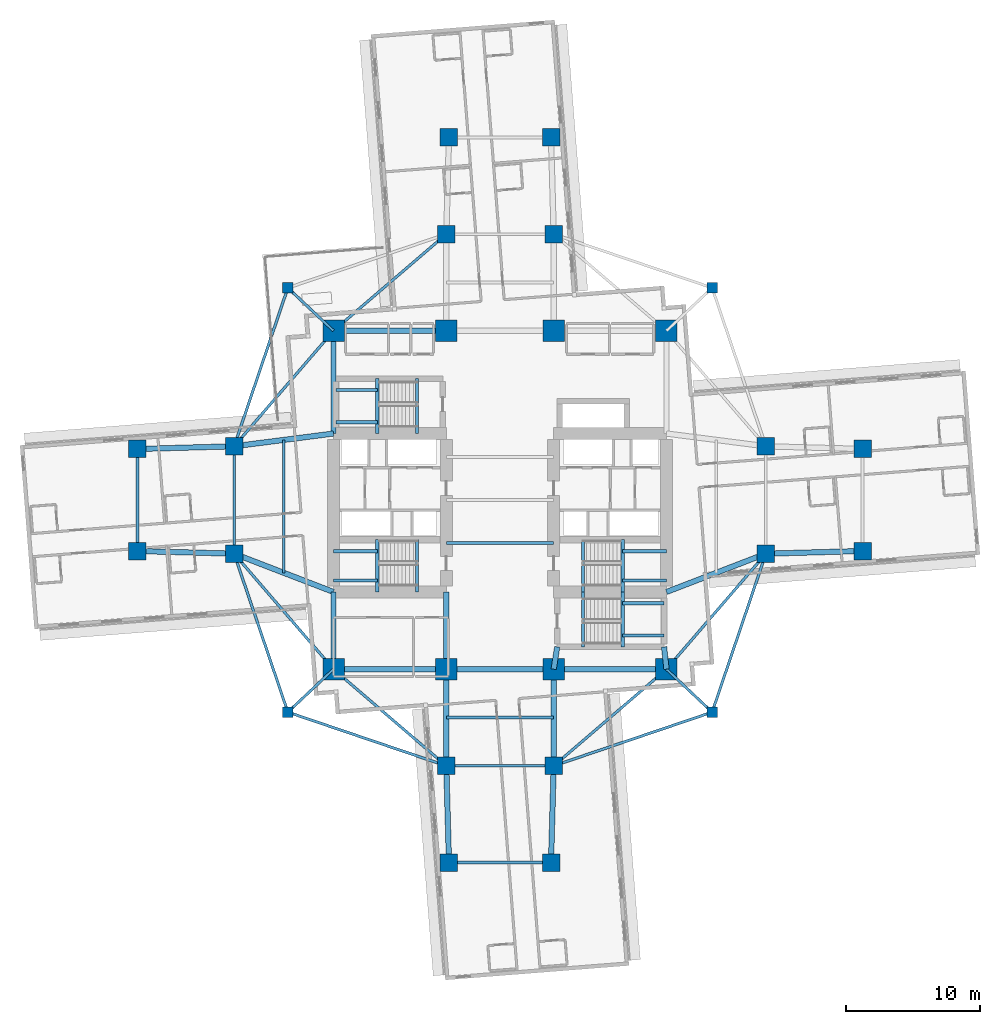
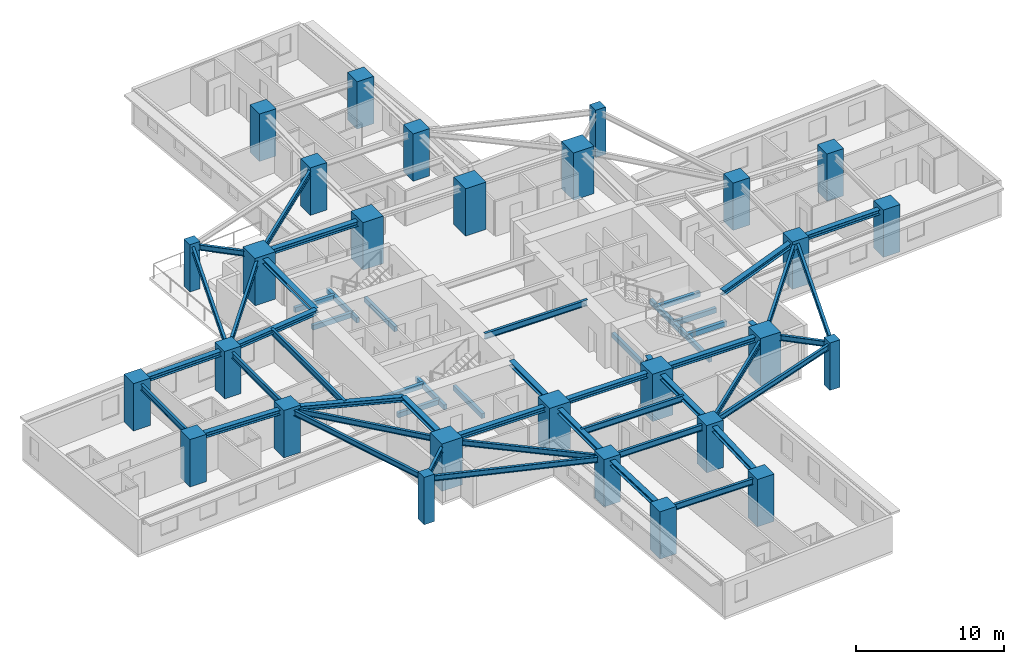
# One storey, part 1 of 13: 56 beams, 28 columns.
"""IFC4 building model written with IfcOpenShell, lengths in metres."""

import ifcopenshell
import ifcopenshell.guid

model = None  # the IFC model being written
_history = None  # IfcOwnerHistory: only IFC2X3 demands one
_inside = {}  # id of a spatial element -> (the spatial element, [elements in it])
_under = {}  # id of a project, library or spatial element -> (it, [spatial elements below it])
_declared = {}  # id of a project -> (the project, [libraries it declares])
_typed = {}  # id of a type object -> (the type object, [elements of that type])
_made_of = {}  # id of a material, layer set ... -> (it, [elements and type objects made of it])


def new_model(schema):
    """Start an empty IFC model of exactly this schema.

    Asked for "IFC4X3", IfcOpenShell would pick the latest addendum, in which some entities
    have other attributes; the version numbers below select the first issue.
    IFC2X3 requires an IfcOwnerHistory on every rooted entity: one is made here for all.
    """
    global model, _history
    if schema == "IFC4X3":
        model = ifcopenshell.file(schema_version=(4, 3, 0, 0))
    else:
        model = ifcopenshell.file(schema=schema)
    _inside.clear()
    _under.clear()
    _declared.clear()
    _typed.clear()
    _made_of.clear()
    _history = None
    if model.schema == "IFC2X3":
        org = make("IfcOrganization", Name="unknown")
        user = make(
            "IfcPersonAndOrganization",
            ThePerson=make("IfcPerson", FamilyName="unknown"),
            TheOrganization=org,
        )
        app = make(
            "IfcApplication",
            ApplicationDeveloper=org,
            Version="unknown",
            ApplicationFullName="unknown",
            ApplicationIdentifier="unknown",
        )
        _history = make(
            "IfcOwnerHistory",
            OwningUser=user,
            OwningApplication=app,
            ChangeAction="ADDED",
            CreationDate=0,
        )
    return model


def make(cls, **values):
    """One entity of the class cls with the attributes given. An attribute that is None is left unset."""
    return model.create_entity(
        cls, **{name: value for name, value in values.items() if value is not None}
    )


def rooted(cls, **values):
    """An entity with a GlobalId (a new one), such as an element, a storey or a relation."""
    return make(cls, GlobalId=ifcopenshell.guid.new(), OwnerHistory=_history, **values)


def si_unit(unit_type, name, prefix=None):
    """IfcSIUnit, for example si_unit("LENGTHUNIT", "METRE", prefix="MILLI")."""
    return make("IfcSIUnit", UnitType=unit_type, Prefix=prefix, Name=name)


def assignment(units):
    """IfcUnitAssignment: the units of a project."""
    return None if units is None else make("IfcUnitAssignment", Units=units)


def point(xyz):
    """IfcCartesianPoint."""
    return None if xyz is None else make("IfcCartesianPoint", Coordinates=xyz)


def direction(xyz):
    """IfcDirection."""
    return None if xyz is None else make("IfcDirection", DirectionRatios=xyz)


def frame(location, z_axis=None, x_axis=None):
    """IfcAxis2Placement3D, a coordinate frame: its origin and axes. An axis left out is left unset."""
    return make(
        "IfcAxis2Placement3D",
        Location=point(location),
        Axis=direction(z_axis),
        RefDirection=direction(x_axis),
    )


def frame_2d(location, x_axis=None):
    """IfcAxis2Placement2D, a coordinate frame in the plane: its origin and x axis."""
    return make(
        "IfcAxis2Placement2D", Location=point(location), RefDirection=direction(x_axis)
    )


def origin():
    """The frame at (0, 0, 0) with its axes left unset."""
    return frame((0.0, 0.0, 0.0))


def origin_2d():
    """The frame at (0, 0) in the plane with its x axis left unset."""
    return frame_2d((0.0, 0.0))


def place(relative_to, where):
    """IfcLocalPlacement: puts the frame where relative to a parent placement (None: the world)."""
    return make(
        "IfcLocalPlacement", PlacementRelTo=relative_to, RelativePlacement=where
    )


def context(
    kind, dimensions, precision=None, world=None, true_north=None, identifier=None
):
    """IfcGeometricRepresentationContext, for example the 3D "Model" context."""
    return make(
        "IfcGeometricRepresentationContext",
        ContextIdentifier=identifier,
        ContextType=kind,
        CoordinateSpaceDimension=dimensions,
        Precision=precision,
        WorldCoordinateSystem=world,
        TrueNorth=true_north,
    )


def subcontext(parent, identifier, kind, view, scale=None):
    """IfcGeometricRepresentationSubContext, for example "Body" below "Model"."""
    return make(
        "IfcGeometricRepresentationSubContext",
        ContextIdentifier=identifier,
        ContextType=kind,
        ParentContext=parent,
        TargetScale=scale,
        TargetView=view,
    )


def project(units=None, contexts=None):
    """IfcProject with its units and contexts."""
    return rooted(
        "IfcProject",
        Name="project",
        RepresentationContexts=contexts,
        UnitsInContext=assignment(units),
    )


def spatial(cls, under=None, at=None, **own):
    """A site, building, storey or space (cls), placed at a placement, below another one or the project."""
    s = rooted(cls, ObjectPlacement=at, **own)
    if under is not None:
        _under.setdefault(under.id(), (under, []))[1].append(s)
    return s


def profile(cls, at=None, kind="AREA", **sizes):
    """A parametric profile (cls). Its sizes go by their IFC names, for example OverallWidth=200.0."""
    return make(cls, ProfileType=kind, Position=at, **sizes)


def rectangle(**sizes):
    """IfcRectangleProfileDef."""
    return profile("IfcRectangleProfileDef", **sizes)


def i_section(**sizes):
    """IfcIShapeProfileDef."""
    return profile("IfcIShapeProfileDef", **sizes)


def extrude(swept, where, along, depth):
    """IfcExtrudedAreaSolid: the profile swept, set in the frame where, extruded along a direction by depth."""
    return make(
        "IfcExtrudedAreaSolid",
        SweptArea=swept,
        Position=where,
        ExtrudedDirection=direction(along),
        Depth=depth,
    )


def shape(context_of_items, identifier, shape_type, items):
    """IfcShapeRepresentation: the items that make up one representation, for example the "Body"."""
    return make(
        "IfcShapeRepresentation",
        ContextOfItems=context_of_items,
        RepresentationIdentifier=identifier,
        RepresentationType=shape_type,
        Items=items,
    )


def material(Name=None, Category=None):
    """IfcMaterial."""
    return make("IfcMaterial", Name=Name, Category=Category)


def material_profile(
    of_material, cross_section, Name=None, Category=None, Priority=None
):
    """IfcMaterialProfile: a cross section and its material."""
    return make(
        "IfcMaterialProfile",
        Name=Name,
        Material=of_material,
        Profile=cross_section,
        Priority=Priority,
        Category=Category,
    )


def profile_set(profiles, Name=None, composite=None):
    """IfcMaterialProfileSet."""
    return make(
        "IfcMaterialProfileSet",
        Name=Name,
        MaterialProfiles=profiles,
        CompositeProfile=composite,
    )


def made_of(thing, what):
    """Note that an element or type object is made of a material, layer set ...; save() writes the relation."""
    if what is not None:
        _made_of.setdefault(what.id(), (what, []))[1].append(thing)
    return thing


def type_object(cls, material=None, **own):
    """A type object (cls), such as IfcWallType, which elements share."""
    return made_of(rooted(cls, **own), material)


def element(
    cls,
    number,
    at=None,
    inside=None,
    cuts=None,
    type_object=None,
    material=None,
    context=None,
    identifier="Body",
    shape_type=None,
    held_by="IfcProductDefinitionShape",
    body=None,
    shapes=None,
    **own,
):
    """One element of the class cls, such as IfcWall. Its Tag is "e" and its number.

    at: its placement. inside: the storey or other place that contains it. cuts: it is an
    opening in that element (IfcRelVoidsElement). A single representation is given by context,
    identifier, shape_type and body (its items); several are given by shapes. held_by: the class
    of the entity that holds the representations. save() writes the other relations.
    """
    e = rooted(cls, Tag="e%d" % number, ObjectPlacement=at, **own)
    if body is not None:
        shapes = [shape(context, identifier, shape_type, body)]
    if shapes is not None:
        e.Representation = make(held_by, Representations=shapes)
    if inside is not None:
        _inside.setdefault(inside.id(), (inside, []))[1].append(e)
    if cuts is not None:
        rooted(
            "IfcRelVoidsElement", RelatingBuildingElement=cuts, RelatedOpeningElement=e
        )
    if type_object is not None:
        _typed.setdefault(type_object.id(), (type_object, []))[1].append(e)
    return made_of(e, material)


def aggregate(whole, parts):
    """IfcRelAggregates: a whole, such as a stair, and the parts it consists of."""
    return rooted("IfcRelAggregates", RelatingObject=whole, RelatedObjects=parts)


def save(model, path):
    """Write the relations noted so far, then the file.

    IfcRelAggregates (storeys below a building ...), IfcRelContainedInSpatialStructure (elements
    in a storey), IfcRelDefinesByType, IfcRelAssociatesMaterial and IfcRelDeclares: one each for
    every whole, place, type object, material and project.
    """
    for whole, parts in _under.values():
        aggregate(whole, parts)
    for where, things in _inside.values():
        rooted(
            "IfcRelContainedInSpatialStructure",
            RelatedElements=things,
            RelatingStructure=where,
        )
    for kind, things in _typed.values():
        rooted("IfcRelDefinesByType", RelatedObjects=things, RelatingType=kind)
    for what, things in _made_of.values():
        rooted("IfcRelAssociatesMaterial", RelatedObjects=things, RelatingMaterial=what)
    for by, libraries in _declared.values():
        rooted("IfcRelDeclares", RelatingContext=by, RelatedDefinitions=libraries)
    model.write(path)


model = new_model("IFC4")

# Units and contexts
model_context = context("Model", 3, precision=1e-05, world=origin(), true_north=direction((0.0, 1.0)))
body_context = subcontext(model_context, "Body", "Model", "MODEL_VIEW")
ifc_project = project(units=[si_unit("LENGTHUNIT", "METRE"), si_unit("AREAUNIT", "SQUARE_METRE"), si_unit("VOLUMEUNIT", "CUBIC_METRE"), si_unit("PLANEANGLEUNIT", "RADIAN"), si_unit("MASSUNIT", "GRAM", prefix="KILO")], contexts=[model_context])

# Site, building, storey
site_placement = place(None, origin())
site = spatial("IfcSite", under=ifc_project, at=site_placement, CompositionType="ELEMENT")
building_placement = place(site_placement, origin())
building = spatial("IfcBuilding", under=site, at=building_placement, Name="Qingluan Cross Belvedere", CompositionType="ELEMENT")
storey_placement = place(building_placement, frame((0.0, 0.0, 43.199951171875)))
storey = spatial("IfcBuildingStorey", under=building, at=storey_placement, Name="L11", CompositionType="ELEMENT", Elevation=43.199951171875)

# Columns
ifc_material_1 = material(Name="Concrete C60", Category="concrete")
ifc_material_profile_1 = material_profile(ifc_material_1, rectangle(XDim=1.300048828125, YDim=1.300048828125, at=origin_2d()), Name="RC1300x1300")
ifc_profile_set_1 = profile_set([ifc_material_profile_1], Name="Concrete C60")
column_type_1 = type_object("IfcColumnType", Name="Column_RC1300x1300", PredefinedType="COLUMN", material=ifc_profile_set_1)
for number, where, z_axis, x_axis, name in (
    (1, (19.800048828125, -4.0, 0.0), (0.0, 0.0, 1.0), (1.0, 0.0, 0.0), "Arm column L11-EIA"),
    (2, (19.800048828125, 4.0, 0.0), (0.0, 0.0, 1.0), (1.0, 0.0, 0.0), "Arm column L11-EIB"),
    (3, (-19.800048828125, -4.0, 0.0), (0.0, 0.0, 1.0), (1.0, 0.0, 0.0), "Arm column L11-WIA"),
    (4, (-19.800048828125, 4.0, 0.0), (0.0, 0.0, 1.0), (1.0, 0.0, 0.0), "Arm column L11-WIB"),
    (5, (-4.0, -19.800048828125, 0.0), (0.0, 0.0, 1.0), (1.0, 0.0, 0.0), "Arm column L11-SIA"),
    (6, (4.0, -19.800048828125, 0.0), (0.0, 0.0, 1.0), (1.0, 0.0, 0.0), "Arm column L11-SIB"),
    (7, (-4.0, 19.800048828125, 0.0), (0.0, 0.0, 1.0), (1.0, 0.0, 0.0), "Arm column L11-NIA"),
    (8, (4.0, 19.800048828125, 0.0), (0.0, 0.0, 1.0), (1.0, 0.0, 0.0), "Arm column L11-NIB"),
    (9, (27.0, -3.800048828125, 0.0), (0.0, 0.0, 1.0), (1.0, 0.0, 0.0), "Arm column L11-EOA"),
    (10, (27.0, 3.800048828125, 0.0), (0.0, 0.0, 1.0), (1.0, 0.0, 0.0), "Arm column L11-EOB"),
    (11, (-27.0, -3.800048828125, 0.0), (0.0, 0.0, 1.0), (1.0, 0.0, 0.0), "Arm column L11-WOA"),
    (12, (-27.0, 3.800048828125, 0.0), (0.0, 0.0, 1.0), (1.0, 0.0, 0.0), "Arm column L11-WOB"),
    (13, (-3.800048828125, -27.0, 0.0), (0.0, 0.0, 1.0), (1.0, 0.0, 0.0), "Arm column L11-SOA"),
    (14, (3.800048828125, -27.0, 0.0), (0.0, 0.0, 1.0), (1.0, 0.0, 0.0), "Arm column L11-SOB"),
    (15, (-3.800048828125, 27.0, 0.0), (0.0, 0.0, 1.0), (1.0, 0.0, 0.0), "Arm column L11-NOA"),
    (16, (3.800048828125, 27.0, 0.0), (0.0, 0.0, 1.0), (1.0, 0.0, 0.0), "Arm column L11-NOB"),
):
    element("IfcColumn", number, at=place(storey_placement, frame(where, z_axis=z_axis, x_axis=x_axis)), inside=storey, type_object=column_type_1, Name=name, PredefinedType="COLUMN", context=body_context, shape_type="SweptSolid", body=[
        extrude(rectangle(XDim=1.300048828125, YDim=1.300048828125, at=origin_2d()), origin(), (0.0, 0.0, 1.0), 3.900146484375),
    ])
ifc_material_2 = material(Name="Concrete C70", Category="concrete")
ifc_material_profile_2 = material_profile(ifc_material_2, rectangle(XDim=1.60009765625, YDim=1.60009765625, at=origin_2d()), Name="RC1600x1600")
ifc_profile_set_2 = profile_set([ifc_material_profile_2], Name="Concrete C70")
column_type_2 = type_object("IfcColumnType", Name="Column_RC1600x1600", PredefinedType="COLUMN", material=ifc_profile_set_2)
for number, where, z_axis, x_axis, name in (
    (17, (-12.39990234375, -12.60009765625, 0.0), (0.0, 0.0, 1.0), (1.0, 0.0, 0.0), "Hub column L11-HC1"),
    (18, (12.39990234375, -12.60009765625, 0.0), (0.0, 0.0, 1.0), (1.0, 0.0, 0.0), "Hub column L11-HC2"),
    (19, (12.39990234375, 12.60009765625, 0.0), (0.0, 0.0, 1.0), (1.0, 0.0, 0.0), "Hub column L11-HC3"),
    (20, (-12.39990234375, 12.60009765625, 0.0), (0.0, 0.0, 1.0), (1.0, 0.0, 0.0), "Hub column L11-HC4"),
    (21, (-4.0, -12.60009765625, 0.0), (0.0, 0.0, 1.0), (1.0, 0.0, 0.0), "Hub column L11-HC5"),
    (22, (4.0, -12.60009765625, 0.0), (0.0, 0.0, 1.0), (1.0, 0.0, 0.0), "Hub column L11-HC6"),
    (23, (4.0, 12.60009765625, 0.0), (0.0, 0.0, 1.0), (1.0, 0.0, 0.0), "Hub column L11-HC7"),
    (24, (-4.0, 12.60009765625, 0.0), (0.0, 0.0, 1.0), (1.0, 0.0, 0.0), "Hub column L11-HC8"),
):
    element("IfcColumn", number, at=place(storey_placement, frame(where, z_axis=z_axis, x_axis=x_axis)), inside=storey, type_object=column_type_2, Name=name, PredefinedType="COLUMN", context=body_context, shape_type="SweptSolid", body=[
        extrude(rectangle(XDim=1.60009765625, YDim=1.60009765625, at=origin_2d()), origin(), (0.0, 0.0, 1.0), 3.900146484375),
    ])
ifc_material_3 = material(Name="Concrete C50", Category="concrete")
ifc_material_profile_3 = material_profile(ifc_material_3, rectangle(XDim=0.800048828125, YDim=0.800048828125, at=origin_2d()), Name="RC800x800")
ifc_profile_set_3 = profile_set([ifc_material_profile_3], Name="Concrete C50")
column_type_3 = type_object("IfcColumnType", Name="Column_RC800x800", PredefinedType="COLUMN", material=ifc_profile_set_3)
for number, where, z_axis, x_axis, name in (
    (25, (15.800048828125, 15.800048828125, 0.0), (0.0, 0.0, 1.0), (1.0, 0.0, 0.0), "Corner column L11-RNE"),
    (26, (-15.800048828125, 15.800048828125, 0.0), (0.0, 0.0, 1.0), (1.0, 0.0, 0.0), "Corner column L11-RNW"),
    (27, (-15.800048828125, -15.800048828125, 0.0), (0.0, 0.0, 1.0), (1.0, 0.0, 0.0), "Corner column L11-RSW"),
    (28, (15.800048828125, -15.800048828125, 0.0), (0.0, 0.0, 1.0), (1.0, 0.0, 0.0), "Corner column L11-RSE"),
):
    element("IfcColumn", number, at=place(storey_placement, frame(where, z_axis=z_axis, x_axis=x_axis)), inside=storey, type_object=column_type_3, Name=name, PredefinedType="COLUMN", context=body_context, shape_type="SweptSolid", body=[
        extrude(rectangle(XDim=0.800048828125, YDim=0.800048828125, at=origin_2d()), origin(), (0.0, 0.0, 1.0), 3.900146484375),
    ])

# Beams
ifc_material_4 = material(Name="Concrete C45", Category="concrete")
ifc_material_profile_4 = material_profile(ifc_material_4, rectangle(XDim=0.25, YDim=0.39990234375, at=origin_2d()), Name="RC250x400")
ifc_profile_set_4 = profile_set([ifc_material_profile_4], Name="Concrete C45")
beam_type_1 = type_object("IfcBeamType", Name="RC_Lintel_RC250x400", PredefinedType="LINTEL", material=ifc_profile_set_4)
for number, where, z_axis, x_axis, name in (
    (29, (-6.179931640625, -6.85009765625, -0.199951171875), (0.0, 1.0, 0.0), (-1.0, 0.0, 0.0), "Stair ST1 landing beam L11"),
    (30, (6.179931640625, -6.85009765625, -0.199951171875), (0.0, 1.0, 0.0), (-1.0, 0.0, 0.0), "Stair ST2 landing beam L11"),
):
    element("IfcBeam", number, at=place(storey_placement, frame(where, z_axis=z_axis, x_axis=x_axis)), inside=storey, type_object=beam_type_1, Name=name, PredefinedType="LINTEL", context=body_context, shape_type="SweptSolid", body=[
        extrude(rectangle(XDim=0.25, YDim=0.39990234375, at=origin_2d()), origin(), (0.0, 0.0, 1.0), 3.89013671875),
    ])
beam_1_placement = place(storey_placement, frame((-6.179931640625, 4.949951171875, -0.199951171875), z_axis=(0.0, 1.0, 0.0), x_axis=(-1.0, 0.0, 0.0)))
element("IfcBeam", 31, at=beam_1_placement, inside=storey, type_object=beam_type_1, Name="Stair ST3 landing beam L11", PredefinedType="LINTEL", context=body_context, shape_type="SweptSolid", body=[
    extrude(rectangle(XDim=0.25, YDim=0.39990234375, at=origin_2d()), origin(), (0.0, 0.0, 1.0), 4.090087890625),
])
beam_2_placement = place(storey_placement, frame((6.179931640625, -10.93994140625, -0.199951171875), z_axis=(0.0, 1.0, 0.0), x_axis=(-1.0, 0.0, 0.0)))
element("IfcBeam", 32, at=beam_2_placement, inside=storey, type_object=beam_type_1, Name="Stair ST4 landing beam L11", PredefinedType="LINTEL", context=body_context, shape_type="SweptSolid", body=[
    extrude(rectangle(XDim=0.25, YDim=0.39990234375, at=origin_2d()), origin(), (0.0, 0.0, 1.0), 4.08984375),
])
beam_3_placement = place(storey_placement, frame((-9.1298828125, -6.85009765625, 1.550048828125), z_axis=(0.0, 1.0, 0.0), x_axis=(-1.0, 0.0, 0.0)))
element("IfcBeam", 33, at=beam_3_placement, inside=storey, type_object=beam_type_1, Name="Stair ST1 beam A L11", PredefinedType="LINTEL", context=body_context, shape_type="SweptSolid", body=[
    extrude(rectangle(XDim=0.25, YDim=0.39990234375, at=origin_2d()), origin(), (0.0, 0.0, 1.0), 3.89013671875),
])
for number, where, z_axis, x_axis, name in (
    (34, (-12.39990234375, -6.0, 1.550048828125), (1.0, 0.0, 0.0), (0.0, 1.0, 0.0), "Stair ST1 beam B L11"),
    (35, (-12.39990234375, -3.81005859375, 1.550048828125), (1.0, 0.0, 0.0), (0.0, 1.0, 0.0), "Stair ST1 beam C L11"),
):
    element("IfcBeam", number, at=place(storey_placement, frame(where, z_axis=z_axis, x_axis=x_axis)), inside=storey, type_object=beam_type_1, Name=name, PredefinedType="LINTEL", context=body_context, shape_type="SweptSolid", body=[
        extrude(rectangle(XDim=0.25, YDim=0.39990234375, at=origin_2d()), origin(), (0.0, 0.0, 1.0), 3.27001953125),
    ])
beam_4_placement = place(storey_placement, frame((9.1298828125, -6.85009765625, 1.550048828125), z_axis=(0.0, 1.0, 0.0), x_axis=(-1.0, 0.0, 0.0)))
element("IfcBeam", 36, at=beam_4_placement, inside=storey, type_object=beam_type_1, Name="Stair ST2 beam A L11", PredefinedType="LINTEL", context=body_context, shape_type="SweptSolid", body=[
    extrude(rectangle(XDim=0.25, YDim=0.39990234375, at=origin_2d()), origin(), (0.0, 0.0, 1.0), 3.89013671875),
])
for number, where, z_axis, x_axis, name in (
    (37, (12.39990234375, -6.0, 1.550048828125), (-1.0, 0.0, 0.0), (0.0, -1.0, 0.0), "Stair ST2 beam B L11"),
    (38, (12.39990234375, -3.81005859375, 1.550048828125), (-1.0, 0.0, 0.0), (0.0, -1.0, 0.0), "Stair ST2 beam C L11"),
):
    element("IfcBeam", number, at=place(storey_placement, frame(where, z_axis=z_axis, x_axis=x_axis)), inside=storey, type_object=beam_type_1, Name=name, PredefinedType="LINTEL", context=body_context, shape_type="SweptSolid", body=[
        extrude(rectangle(XDim=0.25, YDim=0.39990234375, at=origin_2d()), origin(), (0.0, 0.0, 1.0), 3.27001953125),
    ])
beam_5_placement = place(storey_placement, frame((-9.1298828125, 4.949951171875, 1.550048828125), z_axis=(0.0, 1.0, 0.0), x_axis=(-1.0, 0.0, 0.0)))
element("IfcBeam", 39, at=beam_5_placement, inside=storey, type_object=beam_type_1, Name="Stair ST3 beam A L11", PredefinedType="LINTEL", context=body_context, shape_type="SweptSolid", body=[
    extrude(rectangle(XDim=0.25, YDim=0.39990234375, at=origin_2d()), origin(), (0.0, 0.0, 1.0), 4.090087890625),
])
for number, where, z_axis, x_axis, name in (
    (40, (-12.219970703125, 5.800048828125, 1.550048828125), (1.0, 0.0, 0.0), (0.0, 1.0, 0.0), "Stair ST3 beam B L11"),
    (41, (-12.219970703125, 8.18994140625, 1.550048828125), (1.0, 0.0, 0.0), (0.0, 1.0, 0.0), "Stair ST3 beam C L11"),
):
    element("IfcBeam", number, at=place(storey_placement, frame(where, z_axis=z_axis, x_axis=x_axis)), inside=storey, type_object=beam_type_1, Name=name, PredefinedType="LINTEL", context=body_context, shape_type="SweptSolid", body=[
        extrude(rectangle(XDim=0.25, YDim=0.39990234375, at=origin_2d()), origin(), (0.0, 0.0, 1.0), 3.090087890625),
    ])
beam_6_placement = place(storey_placement, frame((9.1298828125, -10.93994140625, 1.550048828125), z_axis=(0.0, 1.0, 0.0), x_axis=(-1.0, 0.0, 0.0)))
element("IfcBeam", 42, at=beam_6_placement, inside=storey, type_object=beam_type_1, Name="Stair ST4 beam A L11", PredefinedType="LINTEL", context=body_context, shape_type="SweptSolid", body=[
    extrude(rectangle(XDim=0.25, YDim=0.39990234375, at=origin_2d()), origin(), (0.0, 0.0, 1.0), 4.08984375),
])
for number, where, z_axis, x_axis, name in (
    (43, (12.219970703125, -10.090087890625, 1.550048828125), (-1.0, 0.0, 0.0), (0.0, -1.0, 0.0), "Stair ST4 beam B L11"),
    (44, (12.219970703125, -7.699951171875, 1.550048828125), (-1.0, 0.0, 0.0), (0.0, -1.0, 0.0), "Stair ST4 beam C L11"),
):
    element("IfcBeam", number, at=place(storey_placement, frame(where, z_axis=z_axis, x_axis=x_axis)), inside=storey, type_object=beam_type_1, Name=name, PredefinedType="LINTEL", context=body_context, shape_type="SweptSolid", body=[
        extrude(rectangle(XDim=0.25, YDim=0.39990234375, at=origin_2d()), origin(), (0.0, 0.0, 1.0), 3.090087890625),
    ])
ifc_material_5 = material(Name="Steel Q420GJB", Category="steel")
ifc_material_profile_5 = material_profile(ifc_material_5, i_section(OverallWidth=0.199951171875, OverallDepth=0.449951171875, WebThickness=0.009033203125, FlangeThickness=0.013916015625, FilletRadius=0.01611328125, at=origin_2d()), Name="HN450x200x9x14")
ifc_profile_set_5 = profile_set([ifc_material_profile_5], Name="Steel Q420GJB")
beam_type_2 = type_object("IfcBeamType", Name="Steel_Beam_HN450x200x9x14", PredefinedType="JOIST", material=ifc_profile_set_5)
beam_7_placement = place(storey_placement, frame((-12.39990234375, 12.60009765625, 3.425048828125), z_axis=(-0.728219948308, 0.685343495546, 0.0), x_axis=(-0.685343495546, -0.728219948308, 0.0)))
element("IfcBeam", 45, at=beam_7_placement, inside=storey, type_object=beam_type_2, Name="Corner beam 1 L11-RNW", PredefinedType="JOIST", context=body_context, shape_type="SweptSolid", body=[
    extrude(i_section(OverallWidth=0.199951171875, OverallDepth=0.449951171875, WebThickness=0.009033203125, FlangeThickness=0.013916015625, FilletRadius=0.01611328125, at=origin_2d()), origin(), (0.0, 0.0, 1.0), 4.669189453125),
])
beam_8_placement = place(storey_placement, frame((-15.800048828125, 15.800048828125, 3.425048828125), z_axis=(-0.321038089628, -0.947066283324, 0.0), x_axis=(0.947066283324, -0.321038089628, 0.0)))
element("IfcBeam", 46, at=beam_8_placement, inside=storey, type_object=beam_type_2, Name="Corner beam 3 L11-RNW", PredefinedType="JOIST", context=body_context, shape_type="SweptSolid", body=[
    extrude(i_section(OverallWidth=0.199951171875, OverallDepth=0.449951171875, WebThickness=0.009033203125, FlangeThickness=0.013916015625, FilletRadius=0.01611328125, at=origin_2d()), origin(), (0.0, 0.0, 1.0), 12.45947265625),
])
beam_9_placement = place(storey_placement, frame((-12.39990234375, 12.60009765625, 3.425048828125), z_axis=(-0.652245077546, -0.75800815221, 0.0), x_axis=(0.75800815221, -0.652245077546, 0.0)))
element("IfcBeam", 47, at=beam_9_placement, inside=storey, type_object=beam_type_2, Name="Corner beam 4 L11-RNW", PredefinedType="JOIST", context=body_context, shape_type="SweptSolid", body=[
    extrude(i_section(OverallWidth=0.199951171875, OverallDepth=0.449951171875, WebThickness=0.009033203125, FlangeThickness=0.013916015625, FilletRadius=0.01611328125, at=origin_2d()), origin(), (0.0, 0.0, 1.0), 11.345703125),
])
beam_10_placement = place(storey_placement, frame((-12.39990234375, 12.60009765625, 3.425048828125), z_axis=(0.759255044656, 0.650793190779, 0.0), x_axis=(-0.650793190779, 0.759255044656, 0.0)))
element("IfcBeam", 48, at=beam_10_placement, inside=storey, type_object=beam_type_2, Name="Corner beam 5 L11-RNW", PredefinedType="JOIST", context=body_context, shape_type="SweptSolid", body=[
    extrude(i_section(OverallWidth=0.199951171875, OverallDepth=0.449951171875, WebThickness=0.009033203125, FlangeThickness=0.013916015625, FilletRadius=0.01611328125, at=origin_2d()), origin(), (0.0, 0.0, 1.0), 11.063232421875),
])
beam_11_placement = place(storey_placement, frame((-12.39990234375, -12.60009765625, 3.425048828125), z_axis=(-0.728219948308, -0.685343495546, 0.0), x_axis=(0.685343495546, -0.728219948308, 0.0)))
element("IfcBeam", 49, at=beam_11_placement, inside=storey, type_object=beam_type_2, Name="Corner beam 1 L11-RSW", PredefinedType="JOIST", context=body_context, shape_type="SweptSolid", body=[
    extrude(i_section(OverallWidth=0.199951171875, OverallDepth=0.449951171875, WebThickness=0.009033203125, FlangeThickness=0.013916015625, FilletRadius=0.01611328125, at=origin_2d()), origin(), (0.0, 0.0, 1.0), 4.669189453125),
])
for number, where, z_axis, x_axis, name in (
    (50, (-15.800048828125, -15.800048828125, 3.425048828125), (0.947066283324, -0.321038089628, 0.0), (0.321038089628, 0.947066283324, 0.0), "Corner beam 2 L11-RSW"),
    (51, (-15.800048828125, -15.800048828125, 3.425048828125), (-0.321038089628, 0.947066283324, 0.0), (-0.947066283324, -0.321038089628, 0.0), "Corner beam 3 L11-RSW"),
):
    element("IfcBeam", number, at=place(storey_placement, frame(where, z_axis=z_axis, x_axis=x_axis)), inside=storey, type_object=beam_type_2, Name=name, PredefinedType="JOIST", context=body_context, shape_type="SweptSolid", body=[
        extrude(i_section(OverallWidth=0.199951171875, OverallDepth=0.449951171875, WebThickness=0.009033203125, FlangeThickness=0.013916015625, FilletRadius=0.01611328125, at=origin_2d()), origin(), (0.0, 0.0, 1.0), 12.45947265625),
    ])
beam_12_placement = place(storey_placement, frame((-12.39990234375, -12.60009765625, 3.425048828125), z_axis=(-0.652245077546, 0.75800815221, 0.0), x_axis=(-0.75800815221, -0.652245077546, 0.0)))
element("IfcBeam", 52, at=beam_12_placement, inside=storey, type_object=beam_type_2, Name="Corner beam 4 L11-RSW", PredefinedType="JOIST", context=body_context, shape_type="SweptSolid", body=[
    extrude(i_section(OverallWidth=0.199951171875, OverallDepth=0.449951171875, WebThickness=0.009033203125, FlangeThickness=0.013916015625, FilletRadius=0.01611328125, at=origin_2d()), origin(), (0.0, 0.0, 1.0), 11.345703125),
])
beam_13_placement = place(storey_placement, frame((-12.39990234375, -12.60009765625, 3.425048828125), z_axis=(0.759255044656, -0.650793190779, 0.0), x_axis=(0.650793190779, 0.759255044656, 0.0)))
element("IfcBeam", 53, at=beam_13_placement, inside=storey, type_object=beam_type_2, Name="Corner beam 5 L11-RSW", PredefinedType="JOIST", context=body_context, shape_type="SweptSolid", body=[
    extrude(i_section(OverallWidth=0.199951171875, OverallDepth=0.449951171875, WebThickness=0.009033203125, FlangeThickness=0.013916015625, FilletRadius=0.01611328125, at=origin_2d()), origin(), (0.0, 0.0, 1.0), 11.063232421875),
])
beam_14_placement = place(storey_placement, frame((12.39990234375, -12.60009765625, 3.425048828125), z_axis=(0.728219948308, -0.685343495546, 0.0), x_axis=(0.685343495546, 0.728219948308, 0.0)))
element("IfcBeam", 54, at=beam_14_placement, inside=storey, type_object=beam_type_2, Name="Corner beam 1 L11-RSE", PredefinedType="JOIST", context=body_context, shape_type="SweptSolid", body=[
    extrude(i_section(OverallWidth=0.199951171875, OverallDepth=0.449951171875, WebThickness=0.009033203125, FlangeThickness=0.013916015625, FilletRadius=0.01611328125, at=origin_2d()), origin(), (0.0, 0.0, 1.0), 4.669189453125),
])
for number, where, z_axis, x_axis, name in (
    (55, (15.800048828125, -15.800048828125, 3.425048828125), (-0.947066283324, -0.321038089628, 0.0), (0.321038089628, -0.947066283324, 0.0), "Corner beam 2 L11-RSE"),
    (56, (15.800048828125, -15.800048828125, 3.425048828125), (0.321038089628, 0.947066283324, 0.0), (-0.947066283324, 0.321038089628, 0.0), "Corner beam 3 L11-RSE"),
):
    element("IfcBeam", number, at=place(storey_placement, frame(where, z_axis=z_axis, x_axis=x_axis)), inside=storey, type_object=beam_type_2, Name=name, PredefinedType="JOIST", context=body_context, shape_type="SweptSolid", body=[
        extrude(i_section(OverallWidth=0.199951171875, OverallDepth=0.449951171875, WebThickness=0.009033203125, FlangeThickness=0.013916015625, FilletRadius=0.01611328125, at=origin_2d()), origin(), (0.0, 0.0, 1.0), 12.45947265625),
    ])
beam_15_placement = place(storey_placement, frame((12.39990234375, -12.60009765625, 3.425048828125), z_axis=(0.652245077546, 0.75800815221, 0.0), x_axis=(-0.75800815221, 0.652245077546, 0.0)))
element("IfcBeam", 57, at=beam_15_placement, inside=storey, type_object=beam_type_2, Name="Corner beam 4 L11-RSE", PredefinedType="JOIST", context=body_context, shape_type="SweptSolid", body=[
    extrude(i_section(OverallWidth=0.199951171875, OverallDepth=0.449951171875, WebThickness=0.009033203125, FlangeThickness=0.013916015625, FilletRadius=0.01611328125, at=origin_2d()), origin(), (0.0, 0.0, 1.0), 11.345703125),
])
beam_16_placement = place(storey_placement, frame((12.39990234375, -12.60009765625, 3.425048828125), z_axis=(-0.759255044656, -0.650793190779, 0.0), x_axis=(0.650793190779, -0.759255044656, 0.0)))
element("IfcBeam", 58, at=beam_16_placement, inside=storey, type_object=beam_type_2, Name="Corner beam 5 L11-RSE", PredefinedType="JOIST", context=body_context, shape_type="SweptSolid", body=[
    extrude(i_section(OverallWidth=0.199951171875, OverallDepth=0.449951171875, WebThickness=0.009033203125, FlangeThickness=0.013916015625, FilletRadius=0.01611328125, at=origin_2d()), origin(), (0.0, 0.0, 1.0), 11.063232421875),
])
ifc_material_6 = material(Name="Steel Q420GJB", Category="steel")
ifc_material_profile_6 = material_profile(ifc_material_6, i_section(OverallWidth=0.199951171875, OverallDepth=0.5, WebThickness=0.010009765625, FlangeThickness=0.01611328125, FilletRadius=0.01611328125, at=origin_2d()), Name="HN500x200x10x16")
ifc_profile_set_6 = profile_set([ifc_material_profile_6], Name="Steel Q420GJB")
beam_type_3 = type_object("IfcBeamType", Name="Steel_Beam_HN500x200x10x16", PredefinedType="JOIST", material=ifc_profile_set_6)
for number, where, z_axis, x_axis, name in (
    (59, (-4.0, -3.199951171875, 3.400146484375), (1.0, 0.0, 0.0), (0.0, 1.0, 0.0), "Hall beam L11-CH1"),
    (60, (-19.800048828125, -4.0, 3.400146484375), (0.0, 1.0, 0.0), (-1.0, 0.0, 0.0), "Arm W tie L11"),
):
    element("IfcBeam", number, at=place(storey_placement, frame(where, z_axis=z_axis, x_axis=x_axis)), inside=storey, type_object=beam_type_3, Name=name, PredefinedType="JOIST", context=body_context, shape_type="SweptSolid", body=[
        extrude(i_section(OverallWidth=0.199951171875, OverallDepth=0.5, WebThickness=0.010009765625, FlangeThickness=0.01611328125, FilletRadius=0.01611328125, at=origin_2d()), origin(), (0.0, 0.0, 1.0), 8.0),
    ])
beam_17_placement = place(storey_placement, frame((-16.10009765625, -5.425048828125, 3.400146484375), z_axis=(0.0, 1.0, 0.0), x_axis=(-1.0, 0.0, 0.0)))
element("IfcBeam", 61, at=beam_17_placement, inside=storey, type_object=beam_type_3, Name="Arm W beam L11", PredefinedType="JOIST", context=body_context, shape_type="SweptSolid", body=[
    extrude(i_section(OverallWidth=0.199951171875, OverallDepth=0.5, WebThickness=0.010009765625, FlangeThickness=0.01611328125, FilletRadius=0.01611328125, at=origin_2d()), origin(), (0.0, 0.0, 1.0), 9.900146484375),
])
beam_18_placement = place(storey_placement, frame((-27.0, -3.800048828125, 3.400146484375), z_axis=(0.0, 1.0, 0.0), x_axis=(-1.0, 0.0, 0.0)))
element("IfcBeam", 62, at=beam_18_placement, inside=storey, type_object=beam_type_3, Name="Arm W tip transverse beam L11", PredefinedType="JOIST", context=body_context, shape_type="SweptSolid", body=[
    extrude(i_section(OverallWidth=0.199951171875, OverallDepth=0.5, WebThickness=0.010009765625, FlangeThickness=0.01611328125, FilletRadius=0.01611328125, at=origin_2d()), origin(), (0.0, 0.0, 1.0), 7.60009765625),
])
for number, where, z_axis, x_axis, name in (
    (63, (-4.0, -19.800048828125, 3.400146484375), (1.0, 0.0, 0.0), (0.0, 1.0, 0.0), "Arm S tie L11"),
    (64, (-4.0, -16.199951171875, 3.400146484375), (1.0, 0.0, 0.0), (0.0, 1.0, 0.0), "Arm S beam L11"),
):
    element("IfcBeam", number, at=place(storey_placement, frame(where, z_axis=z_axis, x_axis=x_axis)), inside=storey, type_object=beam_type_3, Name=name, PredefinedType="JOIST", context=body_context, shape_type="SweptSolid", body=[
        extrude(i_section(OverallWidth=0.199951171875, OverallDepth=0.5, WebThickness=0.010009765625, FlangeThickness=0.01611328125, FilletRadius=0.01611328125, at=origin_2d()), origin(), (0.0, 0.0, 1.0), 8.0),
    ])
beam_19_placement = place(storey_placement, frame((-3.800048828125, -27.0, 3.400146484375), z_axis=(1.0, 0.0, 0.0), x_axis=(0.0, 1.0, 0.0)))
element("IfcBeam", 65, at=beam_19_placement, inside=storey, type_object=beam_type_3, Name="Arm S tip transverse beam L11", PredefinedType="JOIST", context=body_context, shape_type="SweptSolid", body=[
    extrude(i_section(OverallWidth=0.199951171875, OverallDepth=0.5, WebThickness=0.010009765625, FlangeThickness=0.01611328125, FilletRadius=0.01611328125, at=origin_2d()), origin(), (0.0, 0.0, 1.0), 7.60009765625),
])
ifc_material_7 = material(Name="Steel Q420GJB", Category="steel")
ifc_material_profile_7 = material_profile(ifc_material_7, i_section(OverallWidth=0.39990234375, OverallDepth=0.39990234375, WebThickness=0.012939453125, FlangeThickness=0.02099609375, FilletRadius=0.02197265625, at=origin_2d()), Name="HW400x400x13x21")
ifc_profile_set_7 = profile_set([ifc_material_profile_7], Name="Steel Q420GJB")
beam_type_4 = type_object("IfcBeamType", Name="Steel_Girder_HW400x400x13x21", PredefinedType="USERDEFINED", material=ifc_profile_set_7)
beam_20_placement = place(storey_placement, frame((-12.39990234375, -12.60009765625, 3.449951171875), z_axis=(1.0, 0.0, 0.0), x_axis=(0.0, 1.0, 0.0)))
element("IfcBeam", 66, at=beam_20_placement, inside=storey, type_object=beam_type_4, Name="Hub girder L11-HG-S1", ObjectType="GIRDER", PredefinedType="USERDEFINED", context=body_context, shape_type="SweptSolid", body=[
    extrude(i_section(OverallWidth=0.39990234375, OverallDepth=0.39990234375, WebThickness=0.012939453125, FlangeThickness=0.02099609375, FilletRadius=0.02197265625, at=origin_2d()), origin(), (0.0, 0.0, 1.0), 8.39990234375),
])
beam_21_placement = place(storey_placement, frame((-4.0, -12.60009765625, 3.449951171875), z_axis=(1.0, 0.0, 0.0), x_axis=(0.0, 1.0, 0.0)))
element("IfcBeam", 67, at=beam_21_placement, inside=storey, type_object=beam_type_4, Name="Hub girder L11-HG-S2", ObjectType="GIRDER", PredefinedType="USERDEFINED", context=body_context, shape_type="SweptSolid", body=[
    extrude(i_section(OverallWidth=0.39990234375, OverallDepth=0.39990234375, WebThickness=0.012939453125, FlangeThickness=0.02099609375, FilletRadius=0.02197265625, at=origin_2d()), origin(), (0.0, 0.0, 1.0), 8.0),
])
for number, where, z_axis, x_axis, name in (
    (68, (4.0, -12.60009765625, 3.449951171875), (1.0, 0.0, 0.0), (0.0, 1.0, 0.0), "Hub girder L11-HG-S3"),
    (69, (-12.39990234375, 12.60009765625, 3.449951171875), (1.0, 0.0, 0.0), (0.0, 1.0, 0.0), "Hub girder L11-HG-N1"),
):
    element("IfcBeam", number, at=place(storey_placement, frame(where, z_axis=z_axis, x_axis=x_axis)), inside=storey, type_object=beam_type_4, Name=name, ObjectType="GIRDER", PredefinedType="USERDEFINED", context=body_context, shape_type="SweptSolid", body=[
        extrude(i_section(OverallWidth=0.39990234375, OverallDepth=0.39990234375, WebThickness=0.012939453125, FlangeThickness=0.02099609375, FilletRadius=0.02197265625, at=origin_2d()), origin(), (0.0, 0.0, 1.0), 8.39990234375),
    ])
beam_22_placement = place(storey_placement, frame((-12.39990234375, -12.60009765625, 3.449951171875), z_axis=(0.0, 1.0, 0.0), x_axis=(-1.0, 0.0, 0.0)))
element("IfcBeam", 70, at=beam_22_placement, inside=storey, type_object=beam_type_4, Name="Hub girder L11-HG-W1", ObjectType="GIRDER", PredefinedType="USERDEFINED", context=body_context, shape_type="SweptSolid", body=[
    extrude(i_section(OverallWidth=0.39990234375, OverallDepth=0.39990234375, WebThickness=0.012939453125, FlangeThickness=0.02099609375, FilletRadius=0.02197265625, at=origin_2d()), origin(), (0.0, 0.0, 1.0), 5.75),
])
beam_23_placement = place(storey_placement, frame((-12.39990234375, 4.949951171875, 3.449951171875), z_axis=(0.0, 1.0, 0.0), x_axis=(-1.0, 0.0, 0.0)))
element("IfcBeam", 71, at=beam_23_placement, inside=storey, type_object=beam_type_4, Name="Hub girder L11-HG-W2", ObjectType="GIRDER", PredefinedType="USERDEFINED", context=body_context, shape_type="SweptSolid", body=[
    extrude(i_section(OverallWidth=0.39990234375, OverallDepth=0.39990234375, WebThickness=0.012939453125, FlangeThickness=0.02099609375, FilletRadius=0.02197265625, at=origin_2d()), origin(), (0.0, 0.0, 1.0), 7.650146484375),
])
beam_24_placement = place(storey_placement, frame((12.39990234375, -12.60009765625, 3.449951171875), z_axis=(-0.107751337451, 0.994177876075, 0.0), x_axis=(-0.994177876075, -0.107751337451, 0.0)))
element("IfcBeam", 72, at=beam_24_placement, inside=storey, type_object=beam_type_4, Name="Hub girder L11-HG-E1", ObjectType="GIRDER", PredefinedType="USERDEFINED", context=body_context, shape_type="SweptSolid", body=[
    extrude(i_section(OverallWidth=0.39990234375, OverallDepth=0.39990234375, WebThickness=0.012939453125, FlangeThickness=0.02099609375, FilletRadius=0.02197265625, at=origin_2d()), origin(), (0.0, 0.0, 1.0), 1.669921875),
])
beam_25_placement = place(storey_placement, frame((-4.0, -12.60009765625, 3.449951171875), z_axis=(0.0, 1.0, 0.0), x_axis=(-1.0, 0.0, 0.0)))
element("IfcBeam", 73, at=beam_25_placement, inside=storey, type_object=beam_type_4, Name="Hub girder L11-HG-CW", ObjectType="GIRDER", PredefinedType="USERDEFINED", context=body_context, shape_type="SweptSolid", body=[
    extrude(i_section(OverallWidth=0.39990234375, OverallDepth=0.39990234375, WebThickness=0.012939453125, FlangeThickness=0.02099609375, FilletRadius=0.02197265625, at=origin_2d()), origin(), (0.0, 0.0, 1.0), 5.75),
])
beam_26_placement = place(storey_placement, frame((4.0, -12.60009765625, 3.449951171875), z_axis=(0.154731433337, 0.987956569662, 0.0), x_axis=(-0.987956569662, 0.154731433337, 0.0)))
element("IfcBeam", 74, at=beam_26_placement, inside=storey, type_object=beam_type_4, Name="Hub girder L11-HG-CE", ObjectType="GIRDER", PredefinedType="USERDEFINED", context=body_context, shape_type="SweptSolid", body=[
    extrude(i_section(OverallWidth=0.39990234375, OverallDepth=0.39990234375, WebThickness=0.012939453125, FlangeThickness=0.02099609375, FilletRadius=0.02197265625, at=origin_2d()), origin(), (0.0, 0.0, 1.0), 1.680419921875),
])
beam_27_placement = place(storey_placement, frame((12.39990234375, -6.85009765625, 3.449951171875), z_axis=(0.933181258889, 0.359406090735, 0.0), x_axis=(-0.359406090735, 0.933181258889, 0.0)))
element("IfcBeam", 75, at=beam_27_placement, inside=storey, type_object=beam_type_4, Name="Arm E radial girder A L11", ObjectType="GIRDER", PredefinedType="USERDEFINED", context=body_context, shape_type="SweptSolid", body=[
    extrude(i_section(OverallWidth=0.39990234375, OverallDepth=0.39990234375, WebThickness=0.012939453125, FlangeThickness=0.02099609375, FilletRadius=0.02197265625, at=origin_2d()), origin(), (0.0, 0.0, 1.0), 7.929931640625),
])
beam_28_placement = place(storey_placement, frame((19.800048828125, -4.0, 3.449951171875), z_axis=(0.999614603568, 0.027760481514, 0.0), x_axis=(-0.027760481514, 0.999614603568, 0.0)))
element("IfcBeam", 76, at=beam_28_placement, inside=storey, type_object=beam_type_4, Name="Arm E outer radial girder A L11", ObjectType="GIRDER", PredefinedType="USERDEFINED", context=body_context, shape_type="SweptSolid", body=[
    extrude(i_section(OverallWidth=0.39990234375, OverallDepth=0.39990234375, WebThickness=0.012939453125, FlangeThickness=0.02099609375, FilletRadius=0.02197265625, at=origin_2d()), origin(), (0.0, 0.0, 1.0), 7.20263671875),
])
beam_29_placement = place(storey_placement, frame((-12.39990234375, -6.85009765625, 3.449951171875), z_axis=(-0.933181258889, 0.359406090735, 0.0), x_axis=(-0.359406090735, -0.933181258889, 0.0)))
element("IfcBeam", 77, at=beam_29_placement, inside=storey, type_object=beam_type_4, Name="Arm W radial girder A L11", ObjectType="GIRDER", PredefinedType="USERDEFINED", context=body_context, shape_type="SweptSolid", body=[
    extrude(i_section(OverallWidth=0.39990234375, OverallDepth=0.39990234375, WebThickness=0.012939453125, FlangeThickness=0.02099609375, FilletRadius=0.02197265625, at=origin_2d()), origin(), (0.0, 0.0, 1.0), 7.929931640625),
])
beam_30_placement = place(storey_placement, frame((-12.39990234375, 4.949951171875, 3.449951171875), z_axis=(-0.991861120628, -0.12732445714, 0.0), x_axis=(0.12732445714, -0.991861120628, 0.0)))
element("IfcBeam", 78, at=beam_30_placement, inside=storey, type_object=beam_type_4, Name="Arm W radial girder B L11", ObjectType="GIRDER", PredefinedType="USERDEFINED", context=body_context, shape_type="SweptSolid", body=[
    extrude(i_section(OverallWidth=0.39990234375, OverallDepth=0.39990234375, WebThickness=0.012939453125, FlangeThickness=0.02099609375, FilletRadius=0.02197265625, at=origin_2d()), origin(), (0.0, 0.0, 1.0), 7.4609375),
])
for number, where, z_axis, x_axis, name in (
    (79, (-19.800048828125, -4.0, 3.449951171875), (-0.999614603568, 0.027760481514, 0.0), (-0.027760481514, -0.999614603568, 0.0), "Arm W outer radial girder A L11"),
    (80, (-19.800048828125, 4.0, 3.449951171875), (-0.999614603568, -0.027760481514, 0.0), (0.027760481514, -0.999614603568, 0.0), "Arm W outer radial girder B L11"),
):
    element("IfcBeam", number, at=place(storey_placement, frame(where, z_axis=z_axis, x_axis=x_axis)), inside=storey, type_object=beam_type_4, Name=name, ObjectType="GIRDER", PredefinedType="USERDEFINED", context=body_context, shape_type="SweptSolid", body=[
        extrude(i_section(OverallWidth=0.39990234375, OverallDepth=0.39990234375, WebThickness=0.012939453125, FlangeThickness=0.02099609375, FilletRadius=0.02197265625, at=origin_2d()), origin(), (0.0, 0.0, 1.0), 7.20263671875),
    ])
for number, where, z_axis, x_axis, name in (
    (81, (-4.0, -12.60009765625, 3.449951171875), (0.0, -1.0, 0.0), (1.0, 0.0, 0.0), "Arm S radial girder A L11"),
    (82, (4.0, -12.60009765625, 3.449951171875), (0.0, -1.0, 0.0), (1.0, 0.0, 0.0), "Arm S radial girder B L11"),
):
    element("IfcBeam", number, at=place(storey_placement, frame(where, z_axis=z_axis, x_axis=x_axis)), inside=storey, type_object=beam_type_4, Name=name, ObjectType="GIRDER", PredefinedType="USERDEFINED", context=body_context, shape_type="SweptSolid", body=[
        extrude(i_section(OverallWidth=0.39990234375, OverallDepth=0.39990234375, WebThickness=0.012939453125, FlangeThickness=0.02099609375, FilletRadius=0.02197265625, at=origin_2d()), origin(), (0.0, 0.0, 1.0), 7.199951171875),
    ])
for number, where, z_axis, x_axis, name in (
    (83, (-4.0, -19.800048828125, 3.449951171875), (0.027760481514, -0.999614603568, 0.0), (0.999614603568, 0.027760481514, 0.0), "Arm S outer radial girder A L11"),
    (84, (4.0, -19.800048828125, 3.449951171875), (-0.027760481514, -0.999614603568, 0.0), (0.999614603568, -0.027760481514, 0.0), "Arm S outer radial girder B L11"),
):
    element("IfcBeam", number, at=place(storey_placement, frame(where, z_axis=z_axis, x_axis=x_axis)), inside=storey, type_object=beam_type_4, Name=name, ObjectType="GIRDER", PredefinedType="USERDEFINED", context=body_context, shape_type="SweptSolid", body=[
        extrude(i_section(OverallWidth=0.39990234375, OverallDepth=0.39990234375, WebThickness=0.012939453125, FlangeThickness=0.02099609375, FilletRadius=0.02197265625, at=origin_2d()), origin(), (0.0, 0.0, 1.0), 7.20263671875),
    ])

save(model, "model.ifc")
